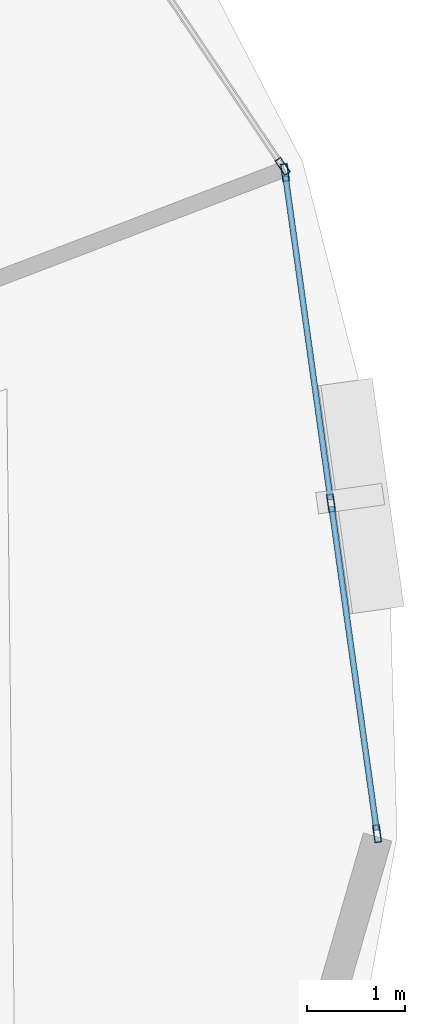
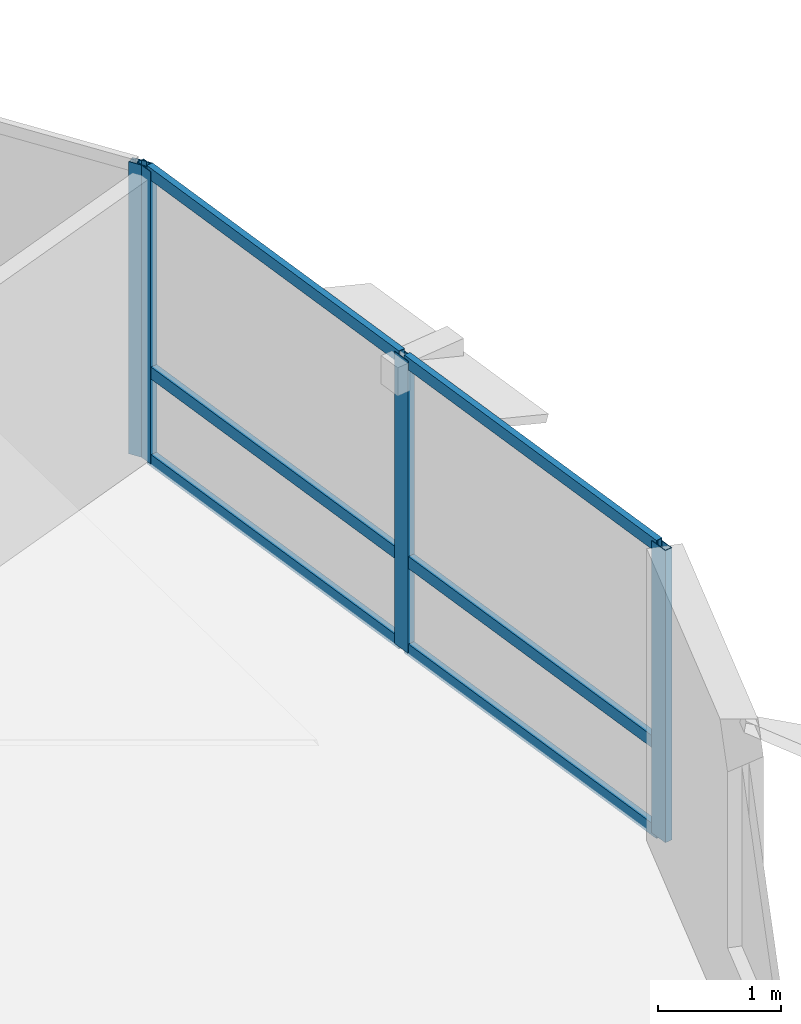
# One storey, part 6 of 15: 10 members, 2 elements without a shape of their own.
"""IFC4 building model written with IfcOpenShell, lengths in metres."""

from ifc_helpers import new_model, si_unit, direction, frame, origin, origin_2d, place, context, subcontext, project, spatial, hollow_rectangle, extrude, material, layer, layer_set, material_profile, profile_set, type_object, element, aggregate, save


model = new_model("IFC4")

# Units and contexts
model_context = context("Model", 3, precision=1e-05, world=origin(), true_north=direction((0.0, 1.0)))
body_context = subcontext(model_context, "Body", "Model", "MODEL_VIEW")
ifc_project = project(units=[si_unit("LENGTHUNIT", "METRE"), si_unit("AREAUNIT", "SQUARE_METRE"), si_unit("VOLUMEUNIT", "CUBIC_METRE"), si_unit("PLANEANGLEUNIT", "RADIAN"), si_unit("MASSUNIT", "GRAM", prefix="KILO"), si_unit("THERMODYNAMICTEMPERATUREUNIT", "KELVIN"), si_unit("POWERUNIT", "WATT")], contexts=[model_context])

# Site, building, storey
site_placement = place(None, origin())
site = spatial("IfcSite", under=ifc_project, at=site_placement, CompositionType="ELEMENT")
building_placement = place(site_placement, origin())
building = spatial("IfcBuilding", under=site, at=building_placement, Name="Ocrelia Relay Tower", CompositionType="ELEMENT")
storey_placement = place(building_placement, frame((0.0, 0.0, 121.800048828125)))
storey = spatial("IfcBuildingStorey", under=building, at=storey_placement, Name="L28", CompositionType="ELEMENT", Elevation=121.800048828125)

# Curtain wall, member
ifc_material_1 = material(Name="Aluminium and solar-control low-E glass", Category="aluminium")
ifc_layer = layer(ifc_material_1, 0.179931640625, Name="Aluminium and solar-control low-E glass")
ifc_layer_set = layer_set([ifc_layer], Name="Aluminium and solar-control low-E glass")
curtain_wall_type = type_object("IfcCurtainWallType", Name="CW-SYS-Z2-SWIT", PredefinedType="NOTDEFINED", material=ifc_layer_set)
curtain_wall_1_placement = place(storey_placement, origin())
curtain_wall_1 = element("IfcCurtainWall", 1, at=curtain_wall_1_placement, inside=storey, type_object=curtain_wall_type, Name="L28 Elliptical Tower Curtain Wall Bay 01", PredefinedType="NOTDEFINED")
ifc_material_2 = material(Name="Anodised bronze aluminium", Category="aluminium")
ifc_material_profile_1 = material_profile(ifc_material_2, hollow_rectangle(XDim=0.070068359375, YDim=0.179931640625, WallThickness=0.006103515625, at=origin_2d()), Name="CW-MUL-180x70")
ifc_profile_set_1 = profile_set([ifc_material_profile_1], Name="Anodised bronze aluminium")
member_type_1 = type_object("IfcMemberType", Name="CW-SYS-Z2-SWIT-MUL", PredefinedType="MULLION", material=ifc_profile_set_1)
member_1_placement = place(storey_placement, frame((57.89599609375, 35.16162109375, 0.0), z_axis=(0.0, 0.0, 1.0), x_axis=(-0.830312998579, -0.5572973393, 0.0)))
member_1 = element("IfcMember", 2, at=member_1_placement, type_object=member_type_1, Name="CW-Z2 mullion 1", PredefinedType="MULLION", context=body_context, shape_type="SweptSolid", body=[
    extrude(hollow_rectangle(XDim=0.070068359375, YDim=0.179931640625, WallThickness=0.006103515625, at=origin_2d()), origin(), (0.0, 0.0, 1.0), 2.89990234375),
])
aggregate(curtain_wall_1, [member_1])

# Curtain wall, members
curtain_wall_2_placement = place(storey_placement, origin())
curtain_wall_2 = element("IfcCurtainWall", 3, at=curtain_wall_2_placement, inside=storey, type_object=curtain_wall_type, Name="L28 Elliptical Tower Curtain Wall Bay 18", PredefinedType="NOTDEFINED")
member_2_placement = place(storey_placement, frame((58.85986328125, 28.353759765625, 0.0), z_axis=(0.0, 0.0, 1.0), x_axis=(-0.990434578418, -0.137983136196, 0.0)))
member_2 = element("IfcMember", 4, at=member_2_placement, type_object=member_type_1, Name="CW-Z2 mullion 1", PredefinedType="MULLION", context=body_context, shape_type="SweptSolid", body=[
    extrude(hollow_rectangle(XDim=0.070068359375, YDim=0.179931640625, WallThickness=0.006103515625, at=origin_2d()), origin(), (0.0, 0.0, 1.0), 2.89990234375),
])
member_3_placement = place(storey_placement, frame((58.39013671875, 31.725830078125, 0.0), z_axis=(0.0, 0.0, 1.0), x_axis=(-0.990434578418, -0.137983136196, 0.0)))
member_3 = element("IfcMember", 5, at=member_3_placement, type_object=member_type_1, Name="CW-Z2 mullion 2", PredefinedType="MULLION", context=body_context, shape_type="SweptSolid", body=[
    extrude(hollow_rectangle(XDim=0.070068359375, YDim=0.179931640625, WallThickness=0.006103515625, at=origin_2d()), origin(), (0.0, 0.0, 1.0), 2.89990234375),
])
member_4_placement = place(storey_placement, frame((57.92041015625, 35.097900390625, 0.0), z_axis=(0.0, 0.0, 1.0), x_axis=(-0.990434578418, -0.137983136196, 0.0)))
member_4 = element("IfcMember", 6, at=member_4_placement, type_object=member_type_1, Name="CW-Z2 mullion 3", PredefinedType="MULLION", context=body_context, shape_type="SweptSolid", body=[
    extrude(hollow_rectangle(XDim=0.070068359375, YDim=0.179931640625, WallThickness=0.006103515625, at=origin_2d()), origin(), (0.0, 0.0, 1.0), 2.89990234375),
])
ifc_material_profile_2 = material_profile(ifc_material_2, hollow_rectangle(XDim=0.06005859375, YDim=0.1201171875, WallThickness=0.0048828125, at=origin_2d()), Name="CW-TRN-120x60")
ifc_profile_set_2 = profile_set([ifc_material_profile_2], Name="Anodised bronze aluminium")
member_type_2 = type_object("IfcMemberType", Name="CW-SYS-Z2-SWIT-TRN", PredefinedType="USERDEFINED", material=ifc_profile_set_2)
member_5_placement = place(storey_placement, frame((58.855224609375, 28.388427734375, 0.030029296875), z_axis=(-0.138007305779, 0.990431210914, 0.0), x_axis=(-0.990431210914, -0.138007305779, 0.0)))
member_5 = element("IfcMember", 7, at=member_5_placement, type_object=member_type_2, Name="CW-Z2 transom 1.1", ObjectType="TRANSOM", PredefinedType="USERDEFINED", context=body_context, shape_type="SweptSolid", body=[
    extrude(hollow_rectangle(XDim=0.06005859375, YDim=0.1201171875, WallThickness=0.0048828125, at=origin_2d()), origin(), (0.0, 0.0, 1.0), 3.334716796875),
])
member_6_placement = place(storey_placement, frame((58.855224609375, 28.388427734375, 0.89990234375), z_axis=(-0.138007305779, 0.990431210914, 0.0), x_axis=(-0.990431210914, -0.138007305779, 0.0)))
member_6 = element("IfcMember", 8, at=member_6_placement, type_object=member_type_2, Name="CW-Z2 transom 1.2", ObjectType="TRANSOM", PredefinedType="USERDEFINED", context=body_context, shape_type="SweptSolid", body=[
    extrude(hollow_rectangle(XDim=0.06005859375, YDim=0.1201171875, WallThickness=0.0048828125, at=origin_2d()), origin(), (0.0, 0.0, 1.0), 3.334716796875),
])
member_7_placement = place(storey_placement, frame((58.855224609375, 28.388427734375, 2.869873046875), z_axis=(-0.138007305779, 0.990431210914, 0.0), x_axis=(-0.990431210914, -0.138007305779, 0.0)))
member_7 = element("IfcMember", 9, at=member_7_placement, type_object=member_type_2, Name="CW-Z2 transom 1.3", ObjectType="TRANSOM", PredefinedType="USERDEFINED", context=body_context, shape_type="SweptSolid", body=[
    extrude(hollow_rectangle(XDim=0.06005859375, YDim=0.1201171875, WallThickness=0.0048828125, at=origin_2d()), origin(), (0.0, 0.0, 1.0), 3.334716796875),
])
member_8_placement = place(storey_placement, frame((58.38525390625, 31.760498046875, 0.030029296875), z_axis=(-0.13793548569, 0.990441215715, 0.0), x_axis=(-0.990441215715, -0.13793548569, 0.0)))
member_8 = element("IfcMember", 10, at=member_8_placement, type_object=member_type_2, Name="CW-Z2 transom 2.1", ObjectType="TRANSOM", PredefinedType="USERDEFINED", context=body_context, shape_type="SweptSolid", body=[
    extrude(hollow_rectangle(XDim=0.06005859375, YDim=0.1201171875, WallThickness=0.0048828125, at=origin_2d()), origin(), (0.0, 0.0, 1.0), 3.334716796875),
])
member_9_placement = place(storey_placement, frame((58.38525390625, 31.760498046875, 0.89990234375), z_axis=(-0.13793548569, 0.990441215715, 0.0), x_axis=(-0.990441215715, -0.13793548569, 0.0)))
member_9 = element("IfcMember", 11, at=member_9_placement, type_object=member_type_2, Name="CW-Z2 transom 2.2", ObjectType="TRANSOM", PredefinedType="USERDEFINED", context=body_context, shape_type="SweptSolid", body=[
    extrude(hollow_rectangle(XDim=0.06005859375, YDim=0.1201171875, WallThickness=0.0048828125, at=origin_2d()), origin(), (0.0, 0.0, 1.0), 3.334716796875),
])
member_10_placement = place(storey_placement, frame((58.38525390625, 31.760498046875, 2.869873046875), z_axis=(-0.13793548569, 0.990441215715, 0.0), x_axis=(-0.990441215715, -0.13793548569, 0.0)))
member_10 = element("IfcMember", 12, at=member_10_placement, type_object=member_type_2, Name="CW-Z2 transom 2.3", ObjectType="TRANSOM", PredefinedType="USERDEFINED", context=body_context, shape_type="SweptSolid", body=[
    extrude(hollow_rectangle(XDim=0.06005859375, YDim=0.1201171875, WallThickness=0.0048828125, at=origin_2d()), origin(), (0.0, 0.0, 1.0), 3.334716796875),
])
aggregate(curtain_wall_2, [member_2, member_3, member_4, member_5, member_6, member_7, member_8, member_9, member_10])

save(model, "model.ifc")
